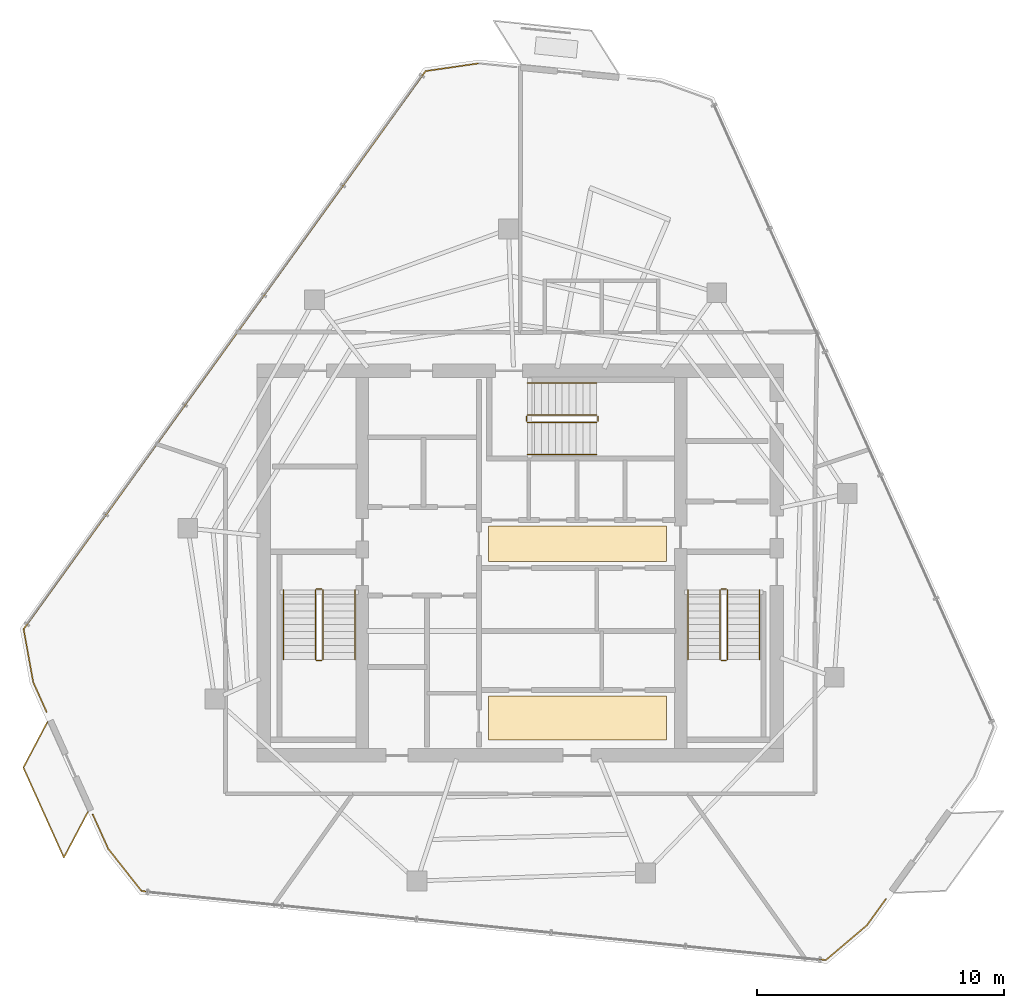
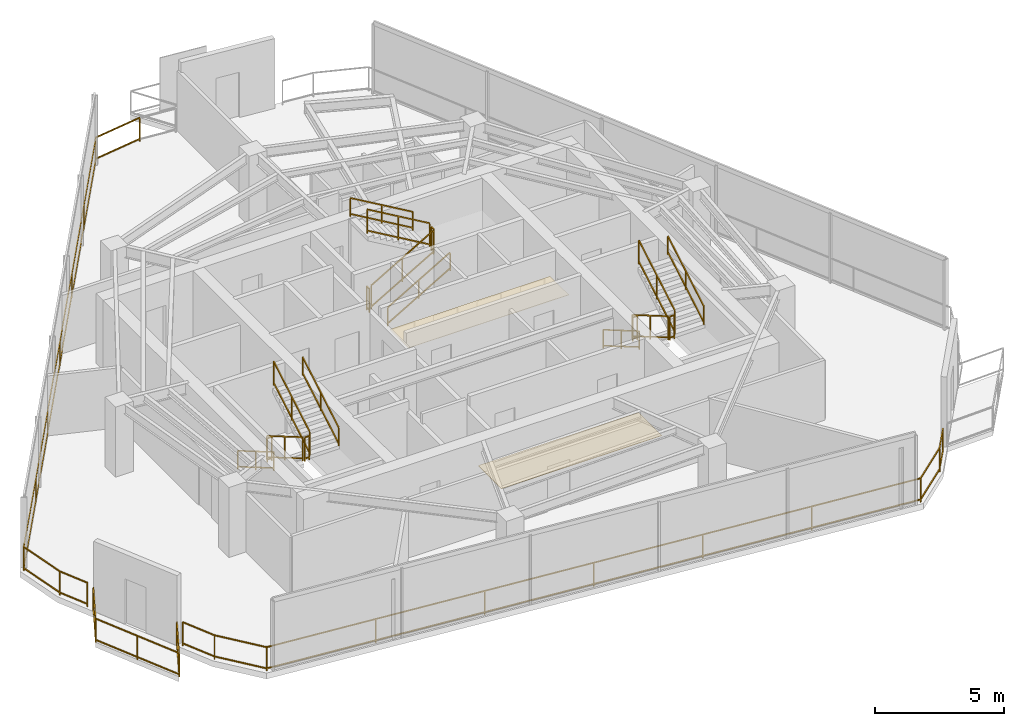
# One storey, part 17 of 18: 21 railings, 2 coverings.
"""IFC4 building model written with IfcOpenShell, lengths in metres."""

from ifc_helpers import new_model, si_unit, direction, frame, origin, origin_2d, place, context, subcontext, project, spatial, rectangle, extrude, material, layer, layer_set, type_object, element, save


model = new_model("IFC4")

# Units and contexts
model_context = context("Model", 3, precision=1e-05, world=origin(), true_north=direction((0.0, 1.0)))
body_context = subcontext(model_context, "Body", "Model", "MODEL_VIEW")
ifc_project = project(units=[si_unit("LENGTHUNIT", "METRE"), si_unit("AREAUNIT", "SQUARE_METRE"), si_unit("VOLUMEUNIT", "CUBIC_METRE"), si_unit("PLANEANGLEUNIT", "RADIAN"), si_unit("MASSUNIT", "GRAM", prefix="KILO")], contexts=[model_context])

# Site, building, storey
site_placement = place(None, origin())
site = spatial("IfcSite", under=ifc_project, at=site_placement, CompositionType="ELEMENT")
building_placement = place(site_placement, origin())
building = spatial("IfcBuilding", under=site, at=building_placement, Name="Qarnah Convention Tower", CompositionType="ELEMENT")
storey_placement = place(building_placement, frame((0.0, 0.0, 271.5)))
storey = spatial("IfcBuildingStorey", under=building, at=storey_placement, Name="L73", CompositionType="ELEMENT", Elevation=271.5)

# Coverings
ifc_material_1 = material(Name="Mineral fibre acoustic ceiling")
ifc_layer_1 = layer(ifc_material_1, 0.02001953125)
ifc_layer_set_1 = layer_set([ifc_layer_1], Name="Mineral fibre acoustic ceiling")
covering_type_1 = type_object("IfcCoveringType", Name="COV-CEIL-20", PredefinedType="CEILING", material=ifc_layer_set_1)
covering_1_placement = place(storey_placement, frame((39.52001953125, 27.179931640625, 2.2900390625), z_axis=(0.0, 0.0, 1.0), x_axis=(1.0, 0.0, 0.0)))
element("IfcCovering", 1, at=covering_1_placement, inside=storey, type_object=covering_type_1, Name="L73 lift lobby acoustic ceiling", PredefinedType="CEILING", context=body_context, shape_type="SweptSolid", body=[
    extrude(rectangle(XDim=7.199951171875, YDim=1.449951171875, at=origin_2d()), origin(), (0.0, 0.0, 1.0), 0.02001953125),
])
ifc_material_2 = material(Name="Porcelain stone floor tile", Category="masonry")
ifc_layer_2 = layer(ifc_material_2, 0.02001953125)
ifc_layer_set_2 = layer_set([ifc_layer_2], Name="Porcelain stone floor tile")
covering_type_2 = type_object("IfcCoveringType", Name="COV-FLOOR-20", PredefinedType="FLOORING", material=ifc_layer_set_2)
covering_2_placement = place(storey_placement, frame((39.52001953125, 20.1201171875, 0.0), z_axis=(0.0, 0.0, 1.0), x_axis=(1.0, 0.0, 0.0)))
element("IfcCovering", 2, at=covering_2_placement, inside=storey, type_object=covering_type_2, Name="L73 lift lobby porcelain stone flooring", PredefinedType="FLOORING", context=body_context, shape_type="SweptSolid", body=[
    extrude(rectangle(XDim=7.199951171875, YDim=1.800048828125, at=origin_2d()), origin(), (0.0, 0.0, 1.0), 0.02001953125),
])

# Railings
ifc_material_3 = material(Name="Black anodised aluminium", Category="aluminium")
railing_type_1 = type_object("IfcRailingType", Name="RL-EXT-GUARD-1150", PredefinedType="GUARDRAIL", material=ifc_material_3)
railing_1_placement = place(storey_placement, frame((52.02490234375, 12.784912109375, 0.0)))
element("IfcRailing", 3, at=railing_1_placement, inside=storey, type_object=railing_type_1, Name="L73 slab-edge perimeter safety guard 03", PredefinedType="GUARDRAIL", context=body_context, shape_type="SweptSolid", body=[
    extrude(rectangle(XDim=0.048095703125, YDim=0.048095703125, at=origin_2d()), frame((0.0, 0.0, 1.1259765625), z_axis=(-0.584529286127, -0.811372610864, 0.0), x_axis=(0.811372610864, -0.584529286127, 0.0)), (0.0, 0.0, 1.0), 1.3173828125),
    extrude(rectangle(XDim=0.048095703125, YDim=0.048095703125, at=origin_2d()), frame((0.0, 0.0, 0.1201171875), z_axis=(-0.584529286127, -0.811372610864, 0.0), x_axis=(0.811372610864, -0.584529286127, 0.0)), (0.0, 0.0, 1.0), 1.3173828125),
    extrude(rectangle(XDim=0.048095703125, YDim=0.048095703125, at=origin_2d()), frame((-0.77001953125, -1.06884765625, 1.1259765625), z_axis=(-0.763050866279, -0.646338437253, 0.0), x_axis=(0.646338437253, -0.763050866279, 0.0)), (0.0, 0.0, 1.0), 2.181640625),
    extrude(rectangle(XDim=0.048095703125, YDim=0.048095703125, at=origin_2d()), frame((-0.77001953125, -1.06884765625, 0.1201171875), z_axis=(-0.763050866279, -0.646338437253, 0.0), x_axis=(0.646338437253, -0.763050866279, 0.0)), (0.0, 0.0, 1.0), 2.181640625),
    extrude(rectangle(XDim=0.048095703125, YDim=0.048095703125, at=origin_2d()), frame((-2.434814453125, -2.47900390625, 1.1259765625), z_axis=(-0.994949605145, 0.100375710315, 0.0), x_axis=(-0.100375710315, -0.994949605145, 0.0)), (0.0, 0.0, 1.0), 27.885986328125),
    extrude(rectangle(XDim=0.048095703125, YDim=0.048095703125, at=origin_2d()), frame((-2.434814453125, -2.47900390625, 0.1201171875), z_axis=(-0.994949605145, 0.100375710315, 0.0), x_axis=(-0.100375710315, -0.994949605145, 0.0)), (0.0, 0.0, 1.0), 27.885986328125),
    extrude(rectangle(XDim=0.048095703125, YDim=0.048095703125, at=origin_2d()), frame((-30.179931640625, 0.320068359375, 1.1259765625), z_axis=(-0.618903619406, 0.785466937488, 0.0), x_axis=(-0.785466937488, -0.618903619406, 0.0)), (0.0, 0.0, 1.0), 2.18115234375),
    extrude(rectangle(XDim=0.048095703125, YDim=0.048095703125, at=origin_2d()), frame((-30.179931640625, 0.320068359375, 0.1201171875), z_axis=(-0.618903619406, 0.785466937488, 0.0), x_axis=(-0.785466937488, -0.618903619406, 0.0)), (0.0, 0.0, 1.0), 2.18115234375),
    extrude(rectangle(XDim=0.048095703125, YDim=0.048095703125, at=origin_2d()), frame((-31.52978515625, 2.033203125, 1.1259765625), z_axis=(-0.41088917155, 0.911685301353, 0.0), x_axis=(-0.911685301353, -0.41088917155, 0.0)), (0.0, 0.0, 1.0), 1.52880859375),
    extrude(rectangle(XDim=0.048095703125, YDim=0.048095703125, at=origin_2d()), frame((-31.52978515625, 2.033203125, 0.1201171875), z_axis=(-0.41088917155, 0.911685301353, 0.0), x_axis=(-0.911685301353, -0.41088917155, 0.0)), (0.0, 0.0, 1.0), 1.52880859375),
    extrude(rectangle(XDim=0.0419921875, YDim=0.0419921875, at=origin_2d()), origin(), (0.0, 0.0, 1.0), 1.101806640625),
    extrude(rectangle(XDim=0.0419921875, YDim=0.0419921875, at=origin_2d()), frame((-0.77001953125, -1.06884765625, 0.0)), (0.0, 0.0, 1.0), 1.101806640625),
    extrude(rectangle(XDim=0.0419921875, YDim=0.0419921875, at=origin_2d()), frame((-2.434814453125, -2.47900390625, 0.0)), (0.0, 0.0, 1.0), 1.101806640625),
    extrude(rectangle(XDim=0.0419921875, YDim=0.0419921875, at=origin_2d()), frame((-7.05908203125, -2.012451171875, 0.0)), (0.0, 0.0, 1.0), 1.101806640625),
    extrude(rectangle(XDim=0.0419921875, YDim=0.0419921875, at=origin_2d()), frame((-11.68310546875, -1.5458984375, 0.0)), (0.0, 0.0, 1.0), 1.101806640625),
    extrude(rectangle(XDim=0.0419921875, YDim=0.0419921875, at=origin_2d()), frame((-16.307373046875, -1.07958984375, 0.0)), (0.0, 0.0, 1.0), 1.101806640625),
    extrude(rectangle(XDim=0.0419921875, YDim=0.0419921875, at=origin_2d()), frame((-20.931640625, -0.613037109375, 0.0)), (0.0, 0.0, 1.0), 1.101806640625),
    extrude(rectangle(XDim=0.0419921875, YDim=0.0419921875, at=origin_2d()), frame((-25.5556640625, -0.146484375, 0.0)), (0.0, 0.0, 1.0), 1.101806640625),
    extrude(rectangle(XDim=0.0419921875, YDim=0.0419921875, at=origin_2d()), frame((-30.179931640625, 0.320068359375, 0.0)), (0.0, 0.0, 1.0), 1.101806640625),
    extrude(rectangle(XDim=0.0419921875, YDim=0.0419921875, at=origin_2d()), frame((-31.52978515625, 2.033203125, 0.0)), (0.0, 0.0, 1.0), 1.101806640625),
    extrude(rectangle(XDim=0.0419921875, YDim=0.0419921875, at=origin_2d()), frame((-32.157958984375, 3.427001953125, 0.0)), (0.0, 0.0, 1.0), 1.101806640625),
])
railing_2_placement = place(storey_placement, frame((17.99609375, 20.367919921875, 0.0)))
element("IfcRailing", 4, at=railing_2_placement, inside=storey, type_object=railing_type_1, Name="L73 slab-edge perimeter safety guard 04", PredefinedType="GUARDRAIL", context=body_context, shape_type="SweptSolid", body=[
    extrude(rectangle(XDim=0.048095703125, YDim=0.048095703125, at=origin_2d()), frame((0.0, 0.0, 1.1259765625), z_axis=(-0.41039547901, 0.911907643793, 0.0), x_axis=(-0.911907643793, -0.41039547901, 0.0)), (0.0, 0.0, 1.0), 1.318359375),
    extrude(rectangle(XDim=0.048095703125, YDim=0.048095703125, at=origin_2d()), frame((0.0, 0.0, 0.1201171875), z_axis=(-0.41039547901, 0.911907643793, 0.0), x_axis=(-0.911907643793, -0.41039547901, 0.0)), (0.0, 0.0, 1.0), 1.318359375),
    extrude(rectangle(XDim=0.048095703125, YDim=0.048095703125, at=origin_2d()), frame((-0.541015625, 1.2021484375, 1.1259765625), z_axis=(-0.177998730377, 0.984030716992, 0.0), x_axis=(-0.984030716992, -0.177998730377, 0.0)), (0.0, 0.0, 1.0), 2.180908203125),
    extrude(rectangle(XDim=0.048095703125, YDim=0.048095703125, at=origin_2d()), frame((-0.541015625, 1.2021484375, 0.1201171875), z_axis=(-0.177998730377, 0.984030716992, 0.0), x_axis=(-0.984030716992, -0.177998730377, 0.0)), (0.0, 0.0, 1.0), 2.180908203125),
    extrude(rectangle(XDim=0.048095703125, YDim=0.048095703125, at=origin_2d()), frame((-0.92919921875, 3.34814453125, 1.1259765625), z_axis=(0.5844064296, 0.81146110507, 0.0), x_axis=(-0.81146110507, 0.5844064296, 0.0)), (0.0, 0.0, 1.0), 27.88671875),
    extrude(rectangle(XDim=0.048095703125, YDim=0.048095703125, at=origin_2d()), frame((-0.92919921875, 3.34814453125, 0.1201171875), z_axis=(0.5844064296, 0.81146110507, 0.0), x_axis=(-0.81146110507, 0.5844064296, 0.0)), (0.0, 0.0, 1.0), 27.88671875),
    extrude(rectangle(XDim=0.048095703125, YDim=0.048095703125, at=origin_2d()), frame((15.367919921875, 25.97705078125, 1.1259765625), z_axis=(0.989654151616, 0.14347355223, 0.0), x_axis=(-0.14347355223, 0.989654151616, 0.0)), (0.0, 0.0, 1.0), 2.181396484375),
    extrude(rectangle(XDim=0.048095703125, YDim=0.048095703125, at=origin_2d()), frame((15.367919921875, 25.97705078125, 0.1201171875), z_axis=(0.989654151616, 0.14347355223, 0.0), x_axis=(-0.14347355223, 0.989654151616, 0.0)), (0.0, 0.0, 1.0), 2.181396484375),
    extrude(rectangle(XDim=0.0419921875, YDim=0.0419921875, at=origin_2d()), origin(), (0.0, 0.0, 1.0), 1.101806640625),
    extrude(rectangle(XDim=0.0419921875, YDim=0.0419921875, at=origin_2d()), frame((-0.541015625, 1.2021484375, 0.0)), (0.0, 0.0, 1.0), 1.101806640625),
    extrude(rectangle(XDim=0.0419921875, YDim=0.0419921875, at=origin_2d()), frame((-0.92919921875, 3.34814453125, 0.0)), (0.0, 0.0, 1.0), 1.101806640625),
    extrude(rectangle(XDim=0.0419921875, YDim=0.0419921875, at=origin_2d()), frame((1.787109375, 7.11962890625, 0.0)), (0.0, 0.0, 1.0), 1.101806640625),
    extrude(rectangle(XDim=0.0419921875, YDim=0.0419921875, at=origin_2d()), frame((4.503173828125, 10.89111328125, 0.0)), (0.0, 0.0, 1.0), 1.101806640625),
    extrude(rectangle(XDim=0.0419921875, YDim=0.0419921875, at=origin_2d()), frame((7.21923828125, 14.66259765625, 0.0)), (0.0, 0.0, 1.0), 1.101806640625),
    extrude(rectangle(XDim=0.0419921875, YDim=0.0419921875, at=origin_2d()), frame((9.935546875, 18.43408203125, 0.0)), (0.0, 0.0, 1.0), 1.101806640625),
    extrude(rectangle(XDim=0.0419921875, YDim=0.0419921875, at=origin_2d()), frame((12.65185546875, 22.20556640625, 0.0)), (0.0, 0.0, 1.0), 1.101806640625),
    extrude(rectangle(XDim=0.0419921875, YDim=0.0419921875, at=origin_2d()), frame((15.367919921875, 25.97705078125, 0.0)), (0.0, 0.0, 1.0), 1.101806640625),
    extrude(rectangle(XDim=0.0419921875, YDim=0.0419921875, at=origin_2d()), frame((17.52685546875, 26.2900390625, 0.0)), (0.0, 0.0, 1.0), 1.101806640625),
])
railing_3_placement = place(storey_placement, frame((19.673095703125, 16.31494140625, 0.0)))
element("IfcRailing", 5, at=railing_3_placement, inside=storey, type_object=railing_type_1, Name="L73 balcony safety guard BAL-L73-C2", PredefinedType="GUARDRAIL", context=body_context, shape_type="SweptSolid", body=[
    extrude(rectangle(XDim=0.048095703125, YDim=0.048095703125, at=origin_2d()), frame((0.0, 0.0, 1.1259765625), z_axis=(-0.465679155597, -0.884953628188, 0.0), x_axis=(0.884953628188, -0.465679155597, 0.0)), (0.0, 0.0, 1.0), 2.093994140625),
    extrude(rectangle(XDim=0.048095703125, YDim=0.048095703125, at=origin_2d()), frame((0.0, 0.0, 0.1201171875), z_axis=(-0.465679155597, -0.884953628188, 0.0), x_axis=(0.884953628188, -0.465679155597, 0.0)), (0.0, 0.0, 1.0), 2.093994140625),
    extrude(rectangle(XDim=0.048095703125, YDim=0.048095703125, at=origin_2d()), frame((-0.97509765625, -1.85302734375, 1.1259765625), z_axis=(-0.41056263889, 0.911832396632, 0.0), x_axis=(-0.911832396632, -0.41056263889, 0.0)), (0.0, 0.0, 1.0), 3.99951171875),
    extrude(rectangle(XDim=0.048095703125, YDim=0.048095703125, at=origin_2d()), frame((-0.97509765625, -1.85302734375, 0.1201171875), z_axis=(-0.41056263889, 0.911832396632, 0.0), x_axis=(-0.911832396632, -0.41056263889, 0.0)), (0.0, 0.0, 1.0), 3.99951171875),
    extrude(rectangle(XDim=0.048095703125, YDim=0.048095703125, at=origin_2d()), frame((-2.6171875, 1.7939453125, 1.1259765625), z_axis=(0.465679155597, 0.884953628188, 0.0), x_axis=(-0.884953628188, 0.465679155597, 0.0)), (0.0, 0.0, 1.0), 2.093994140625),
    extrude(rectangle(XDim=0.048095703125, YDim=0.048095703125, at=origin_2d()), frame((-2.6171875, 1.7939453125, 0.1201171875), z_axis=(0.465679155597, 0.884953628188, 0.0), x_axis=(-0.884953628188, 0.465679155597, 0.0)), (0.0, 0.0, 1.0), 2.093994140625),
    extrude(rectangle(XDim=0.0419921875, YDim=0.0419921875, at=origin_2d()), origin(), (0.0, 0.0, 1.0), 1.101806640625),
    extrude(rectangle(XDim=0.0419921875, YDim=0.0419921875, at=origin_2d()), frame((-0.97509765625, -1.85302734375, 0.0)), (0.0, 0.0, 1.0), 1.101806640625),
    extrude(rectangle(XDim=0.0419921875, YDim=0.0419921875, at=origin_2d()), frame((-1.796142578125, -0.029541015625, 0.0)), (0.0, 0.0, 1.0), 1.101806640625),
    extrude(rectangle(XDim=0.0419921875, YDim=0.0419921875, at=origin_2d()), frame((-2.6171875, 1.7939453125, 0.0)), (0.0, 0.0, 1.0), 1.101806640625),
    extrude(rectangle(XDim=0.0419921875, YDim=0.0419921875, at=origin_2d()), frame((-1.64208984375, 3.64697265625, 0.0)), (0.0, 0.0, 1.0), 1.101806640625),
])
ifc_material_4 = material(Name="Structural steel S355JR", Category="steel")
railing_type_2 = type_object("IfcRailingType", Name="RL-STAIR-GUARD-1150", PredefinedType="GUARDRAIL", material=ifc_material_4)
railing_4_placement = place(storey_placement, frame((28.89990234375, 25.300048828125, 0.16357421875)))
element("IfcRailing", 6, at=railing_4_placement, inside=storey, type_object=railing_type_2, Name="L73 ST-1 stair guard 1", PredefinedType="GUARDRAIL", context=body_context, shape_type="SweptSolid", body=[
    extrude(rectangle(XDim=0.048095703125, YDim=0.048095703125, at=origin_2d()), frame((0.0, 0.0, 1.1259765625), z_axis=(0.0, -0.863360870873, 0.504586966384), x_axis=(1.0, 0.0, 0.0)), (0.0, 0.0, 1.0), 3.2431640625),
    extrude(rectangle(XDim=0.048095703125, YDim=0.048095703125, at=origin_2d()), frame((0.0, 0.0, 0.1201171875), z_axis=(0.0, -0.863360870873, 0.504586966384), x_axis=(1.0, 0.0, 0.0)), (0.0, 0.0, 1.0), 3.2431640625),
    extrude(rectangle(XDim=0.0419921875, YDim=0.0419921875, at=origin_2d()), origin(), (0.0, 0.0, 1.0), 1.101806640625),
    extrude(rectangle(XDim=0.0419921875, YDim=0.0419921875, at=origin_2d()), frame((0.0, -1.39990234375, 0.818359375)), (0.0, 0.0, 1.0), 1.101806640625),
    extrude(rectangle(XDim=0.0419921875, YDim=0.0419921875, at=origin_2d()), frame((0.0, -2.800048828125, 1.636474609375)), (0.0, 0.0, 1.0), 1.101806640625),
])
railing_5_placement = place(storey_placement, frame((28.949951171875, 22.449951171875, 1.800048828125)))
element("IfcRailing", 7, at=railing_5_placement, inside=storey, type_object=railing_type_2, Name="L73 ST-1 stair guard 2", PredefinedType="GUARDRAIL", context=body_context, shape_type="SweptSolid", body=[
    extrude(rectangle(XDim=0.048095703125, YDim=0.048095703125, at=origin_2d()), frame((0.0, 0.0, 1.1259765625), z_axis=(1.0, 0.0, 0.0), x_axis=(0.0, 1.0, 0.0)), (0.0, 0.0, 1.0), 0.199951171875),
    extrude(rectangle(XDim=0.048095703125, YDim=0.048095703125, at=origin_2d()), frame((0.0, 0.0, 0.1201171875), z_axis=(1.0, 0.0, 0.0), x_axis=(0.0, 1.0, 0.0)), (0.0, 0.0, 1.0), 0.199951171875),
    extrude(rectangle(XDim=0.0419921875, YDim=0.0419921875, at=origin_2d()), origin(), (0.0, 0.0, 1.0), 1.101806640625),
    extrude(rectangle(XDim=0.0419921875, YDim=0.0419921875, at=origin_2d()), frame((0.199951171875, 0.0, 0.0)), (0.0, 0.0, 1.0), 1.101806640625),
])
railing_6_placement = place(storey_placement, frame((29.199951171875, 22.5, 1.963623046875)))
element("IfcRailing", 8, at=railing_6_placement, inside=storey, type_object=railing_type_2, Name="L73 ST-1 stair guard 3", PredefinedType="GUARDRAIL", context=body_context, shape_type="SweptSolid", body=[
    extrude(rectangle(XDim=0.048095703125, YDim=0.048095703125, at=origin_2d()), frame((0.0, 0.0, 1.1259765625), z_axis=(0.0, 0.863360870873, 0.504586966384), x_axis=(-1.0, 0.0, 0.0)), (0.0, 0.0, 1.0), 3.2431640625),
    extrude(rectangle(XDim=0.048095703125, YDim=0.048095703125, at=origin_2d()), frame((0.0, 0.0, 0.1201171875), z_axis=(0.0, 0.863360870873, 0.504586966384), x_axis=(-1.0, 0.0, 0.0)), (0.0, 0.0, 1.0), 3.2431640625),
    extrude(rectangle(XDim=0.0419921875, YDim=0.0419921875, at=origin_2d()), origin(), (0.0, 0.0, 1.0), 1.101806640625),
    extrude(rectangle(XDim=0.0419921875, YDim=0.0419921875, at=origin_2d()), frame((0.0, 1.39990234375, 0.818359375)), (0.0, 0.0, 1.0), 1.101806640625),
    extrude(rectangle(XDim=0.0419921875, YDim=0.0419921875, at=origin_2d()), frame((0.0, 2.800048828125, 1.636474609375)), (0.0, 0.0, 1.0), 1.101806640625),
])
railing_7_placement = place(storey_placement, frame((28.949951171875, 25.35009765625, 0.0)))
element("IfcRailing", 9, at=railing_7_placement, inside=storey, type_object=railing_type_2, Name="L73 ST-1 stair guard 4", PredefinedType="GUARDRAIL", context=body_context, shape_type="SweptSolid", body=[
    extrude(rectangle(XDim=0.048095703125, YDim=0.048095703125, at=origin_2d()), frame((0.0, 0.0, 1.1259765625), z_axis=(1.0, 0.0, 0.0), x_axis=(0.0, 1.0, 0.0)), (0.0, 0.0, 1.0), 0.199951171875),
    extrude(rectangle(XDim=0.048095703125, YDim=0.048095703125, at=origin_2d()), frame((0.0, 0.0, 0.1201171875), z_axis=(1.0, 0.0, 0.0), x_axis=(0.0, 1.0, 0.0)), (0.0, 0.0, 1.0), 0.199951171875),
    extrude(rectangle(XDim=0.0419921875, YDim=0.0419921875, at=origin_2d()), origin(), (0.0, 0.0, 1.0), 1.101806640625),
    extrude(rectangle(XDim=0.0419921875, YDim=0.0419921875, at=origin_2d()), frame((0.199951171875, 0.0, 0.0)), (0.0, 0.0, 1.0), 1.101806640625),
])
railing_8_placement = place(storey_placement, frame((45.300048828125, 25.300048828125, 0.16357421875)))
element("IfcRailing", 10, at=railing_8_placement, inside=storey, type_object=railing_type_2, Name="L73 ST-2 stair guard 1", PredefinedType="GUARDRAIL", context=body_context, shape_type="SweptSolid", body=[
    extrude(rectangle(XDim=0.048095703125, YDim=0.048095703125, at=origin_2d()), frame((0.0, 0.0, 1.1259765625), z_axis=(0.0, -0.863360870873, 0.504586966384), x_axis=(1.0, 0.0, 0.0)), (0.0, 0.0, 1.0), 3.2431640625),
    extrude(rectangle(XDim=0.048095703125, YDim=0.048095703125, at=origin_2d()), frame((0.0, 0.0, 0.1201171875), z_axis=(0.0, -0.863360870873, 0.504586966384), x_axis=(1.0, 0.0, 0.0)), (0.0, 0.0, 1.0), 3.2431640625),
    extrude(rectangle(XDim=0.0419921875, YDim=0.0419921875, at=origin_2d()), origin(), (0.0, 0.0, 1.0), 1.101806640625),
    extrude(rectangle(XDim=0.0419921875, YDim=0.0419921875, at=origin_2d()), frame((0.0, -1.39990234375, 0.818359375)), (0.0, 0.0, 1.0), 1.101806640625),
    extrude(rectangle(XDim=0.0419921875, YDim=0.0419921875, at=origin_2d()), frame((0.0, -2.800048828125, 1.636474609375)), (0.0, 0.0, 1.0), 1.101806640625),
])
railing_9_placement = place(storey_placement, frame((45.35009765625, 22.449951171875, 1.800048828125)))
element("IfcRailing", 11, at=railing_9_placement, inside=storey, type_object=railing_type_2, Name="L73 ST-2 stair guard 2", PredefinedType="GUARDRAIL", context=body_context, shape_type="SweptSolid", body=[
    extrude(rectangle(XDim=0.048095703125, YDim=0.048095703125, at=origin_2d()), frame((0.0, 0.0, 1.1259765625), z_axis=(1.0, 0.0, 0.0), x_axis=(0.0, 1.0, 0.0)), (0.0, 0.0, 1.0), 0.199951171875),
    extrude(rectangle(XDim=0.048095703125, YDim=0.048095703125, at=origin_2d()), frame((0.0, 0.0, 0.1201171875), z_axis=(1.0, 0.0, 0.0), x_axis=(0.0, 1.0, 0.0)), (0.0, 0.0, 1.0), 0.199951171875),
    extrude(rectangle(XDim=0.0419921875, YDim=0.0419921875, at=origin_2d()), origin(), (0.0, 0.0, 1.0), 1.101806640625),
    extrude(rectangle(XDim=0.0419921875, YDim=0.0419921875, at=origin_2d()), frame((0.199951171875, 0.0, 0.0)), (0.0, 0.0, 1.0), 1.101806640625),
])
railing_10_placement = place(storey_placement, frame((45.60009765625, 22.5, 1.963623046875)))
element("IfcRailing", 12, at=railing_10_placement, inside=storey, type_object=railing_type_2, Name="L73 ST-2 stair guard 3", PredefinedType="GUARDRAIL", context=body_context, shape_type="SweptSolid", body=[
    extrude(rectangle(XDim=0.048095703125, YDim=0.048095703125, at=origin_2d()), frame((0.0, 0.0, 1.1259765625), z_axis=(0.0, 0.863360870873, 0.504586966384), x_axis=(-1.0, 0.0, 0.0)), (0.0, 0.0, 1.0), 3.2431640625),
    extrude(rectangle(XDim=0.048095703125, YDim=0.048095703125, at=origin_2d()), frame((0.0, 0.0, 0.1201171875), z_axis=(0.0, 0.863360870873, 0.504586966384), x_axis=(-1.0, 0.0, 0.0)), (0.0, 0.0, 1.0), 3.2431640625),
    extrude(rectangle(XDim=0.0419921875, YDim=0.0419921875, at=origin_2d()), origin(), (0.0, 0.0, 1.0), 1.101806640625),
    extrude(rectangle(XDim=0.0419921875, YDim=0.0419921875, at=origin_2d()), frame((0.0, 1.39990234375, 0.818359375)), (0.0, 0.0, 1.0), 1.101806640625),
    extrude(rectangle(XDim=0.0419921875, YDim=0.0419921875, at=origin_2d()), frame((0.0, 2.800048828125, 1.636474609375)), (0.0, 0.0, 1.0), 1.101806640625),
])
railing_11_placement = place(storey_placement, frame((45.35009765625, 25.35009765625, 0.0)))
element("IfcRailing", 13, at=railing_11_placement, inside=storey, type_object=railing_type_2, Name="L73 ST-2 stair guard 4", PredefinedType="GUARDRAIL", context=body_context, shape_type="SweptSolid", body=[
    extrude(rectangle(XDim=0.048095703125, YDim=0.048095703125, at=origin_2d()), frame((0.0, 0.0, 1.1259765625), z_axis=(1.0, 0.0, 0.0), x_axis=(0.0, 1.0, 0.0)), (0.0, 0.0, 1.0), 0.199951171875),
    extrude(rectangle(XDim=0.048095703125, YDim=0.048095703125, at=origin_2d()), frame((0.0, 0.0, 0.1201171875), z_axis=(1.0, 0.0, 0.0), x_axis=(0.0, 1.0, 0.0)), (0.0, 0.0, 1.0), 0.199951171875),
    extrude(rectangle(XDim=0.0419921875, YDim=0.0419921875, at=origin_2d()), origin(), (0.0, 0.0, 1.0), 1.101806640625),
    extrude(rectangle(XDim=0.0419921875, YDim=0.0419921875, at=origin_2d()), frame((0.199951171875, 0.0, 0.0)), (0.0, 0.0, 1.0), 1.101806640625),
])
railing_12_placement = place(storey_placement, frame((37.5, 32.10009765625, 0.16357421875)))
element("IfcRailing", 14, at=railing_12_placement, inside=storey, type_object=railing_type_2, Name="L73 ST-3 stair guard 1", PredefinedType="GUARDRAIL", context=body_context, shape_type="SweptSolid", body=[
    extrude(rectangle(XDim=0.048095703125, YDim=0.048095703125, at=origin_2d()), frame((0.0, 0.0, 1.1259765625), z_axis=(0.863360870873, 0.0, 0.504586966384), x_axis=(0.0, 1.0, 0.0)), (0.0, 0.0, 1.0), 3.2431640625),
    extrude(rectangle(XDim=0.048095703125, YDim=0.048095703125, at=origin_2d()), frame((0.0, 0.0, 0.1201171875), z_axis=(0.863360870873, 0.0, 0.504586966384), x_axis=(0.0, 1.0, 0.0)), (0.0, 0.0, 1.0), 3.2431640625),
    extrude(rectangle(XDim=0.0419921875, YDim=0.0419921875, at=origin_2d()), origin(), (0.0, 0.0, 1.0), 1.101806640625),
    extrude(rectangle(XDim=0.0419921875, YDim=0.0419921875, at=origin_2d()), frame((1.39990234375, 0.0, 0.818359375)), (0.0, 0.0, 1.0), 1.101806640625),
    extrude(rectangle(XDim=0.0419921875, YDim=0.0419921875, at=origin_2d()), frame((2.800048828125, 0.0, 1.636474609375)), (0.0, 0.0, 1.0), 1.101806640625),
])
railing_13_placement = place(storey_placement, frame((40.35009765625, 32.14990234375, 1.800048828125)))
element("IfcRailing", 15, at=railing_13_placement, inside=storey, type_object=railing_type_2, Name="L73 ST-3 stair guard 2", PredefinedType="GUARDRAIL", context=body_context, shape_type="SweptSolid", body=[
    extrude(rectangle(XDim=0.048095703125, YDim=0.048095703125, at=origin_2d()), frame((0.0, 0.0, 1.1259765625), z_axis=(0.0, 1.0, 0.0), x_axis=(-1.0, 0.0, 0.0)), (0.0, 0.0, 1.0), 0.2001953125),
    extrude(rectangle(XDim=0.048095703125, YDim=0.048095703125, at=origin_2d()), frame((0.0, 0.0, 0.1201171875), z_axis=(0.0, 1.0, 0.0), x_axis=(-1.0, 0.0, 0.0)), (0.0, 0.0, 1.0), 0.2001953125),
    extrude(rectangle(XDim=0.0419921875, YDim=0.0419921875, at=origin_2d()), origin(), (0.0, 0.0, 1.0), 1.101806640625),
    extrude(rectangle(XDim=0.0419921875, YDim=0.0419921875, at=origin_2d()), frame((0.0, 0.2001953125, 0.0)), (0.0, 0.0, 1.0), 1.101806640625),
])
railing_14_placement = place(storey_placement, frame((40.300048828125, 32.39990234375, 1.963623046875)))
element("IfcRailing", 16, at=railing_14_placement, inside=storey, type_object=railing_type_2, Name="L73 ST-3 stair guard 3", PredefinedType="GUARDRAIL", context=body_context, shape_type="SweptSolid", body=[
    extrude(rectangle(XDim=0.048095703125, YDim=0.048095703125, at=origin_2d()), frame((0.0, 0.0, 1.1259765625), z_axis=(-0.863360870873, 0.0, 0.504586966384), x_axis=(0.0, -1.0, 0.0)), (0.0, 0.0, 1.0), 3.2431640625),
    extrude(rectangle(XDim=0.048095703125, YDim=0.048095703125, at=origin_2d()), frame((0.0, 0.0, 0.1201171875), z_axis=(-0.863360870873, 0.0, 0.504586966384), x_axis=(0.0, -1.0, 0.0)), (0.0, 0.0, 1.0), 3.2431640625),
    extrude(rectangle(XDim=0.0419921875, YDim=0.0419921875, at=origin_2d()), origin(), (0.0, 0.0, 1.0), 1.101806640625),
    extrude(rectangle(XDim=0.0419921875, YDim=0.0419921875, at=origin_2d()), frame((-1.39990234375, 0.0, 0.818359375)), (0.0, 0.0, 1.0), 1.101806640625),
    extrude(rectangle(XDim=0.0419921875, YDim=0.0419921875, at=origin_2d()), frame((-2.800048828125, 0.0, 1.636474609375)), (0.0, 0.0, 1.0), 1.101806640625),
])
railing_15_placement = place(storey_placement, frame((37.449951171875, 32.14990234375, 0.0)))
element("IfcRailing", 17, at=railing_15_placement, inside=storey, type_object=railing_type_2, Name="L73 ST-3 stair guard 4", PredefinedType="GUARDRAIL", context=body_context, shape_type="SweptSolid", body=[
    extrude(rectangle(XDim=0.048095703125, YDim=0.048095703125, at=origin_2d()), frame((0.0, 0.0, 1.1259765625), z_axis=(0.0, 1.0, 0.0), x_axis=(-1.0, 0.0, 0.0)), (0.0, 0.0, 1.0), 0.2001953125),
    extrude(rectangle(XDim=0.048095703125, YDim=0.048095703125, at=origin_2d()), frame((0.0, 0.0, 0.1201171875), z_axis=(0.0, 1.0, 0.0), x_axis=(-1.0, 0.0, 0.0)), (0.0, 0.0, 1.0), 0.2001953125),
    extrude(rectangle(XDim=0.0419921875, YDim=0.0419921875, at=origin_2d()), origin(), (0.0, 0.0, 1.0), 1.101806640625),
    extrude(rectangle(XDim=0.0419921875, YDim=0.0419921875, at=origin_2d()), frame((0.0, 0.2001953125, 0.0)), (0.0, 0.0, 1.0), 1.101806640625),
])
railing_type_3 = type_object("IfcRailingType", Name="RL-STAIR-HAND-900", PredefinedType="HANDRAIL", material=ifc_material_4)
railing_16_placement = place(storey_placement, frame((27.60009765625, 25.300048828125, 0.16357421875)))
element("IfcRailing", 18, at=railing_16_placement, inside=storey, type_object=railing_type_3, Name="L73 ST-1 stair handrail 1", PredefinedType="HANDRAIL", context=body_context, shape_type="SweptSolid", body=[
    extrude(rectangle(XDim=0.048095703125, YDim=0.048095703125, at=origin_2d()), frame((0.0, 0.0, 0.8759765625), z_axis=(0.0, -0.863360870873, 0.504586966384), x_axis=(1.0, 0.0, 0.0)), (0.0, 0.0, 1.0), 3.2431640625),
    extrude(rectangle(XDim=0.048095703125, YDim=0.048095703125, at=origin_2d()), frame((0.0, 0.0, 0.1201171875), z_axis=(0.0, -0.863360870873, 0.504586966384), x_axis=(1.0, 0.0, 0.0)), (0.0, 0.0, 1.0), 3.2431640625),
    extrude(rectangle(XDim=0.0419921875, YDim=0.0419921875, at=origin_2d()), origin(), (0.0, 0.0, 1.0), 0.851806640625),
    extrude(rectangle(XDim=0.0419921875, YDim=0.0419921875, at=origin_2d()), frame((0.0, -1.39990234375, 0.818359375)), (0.0, 0.0, 1.0), 0.851806640625),
    extrude(rectangle(XDim=0.0419921875, YDim=0.0419921875, at=origin_2d()), frame((0.0, -2.800048828125, 1.636474609375)), (0.0, 0.0, 1.0), 0.851806640625),
])
railing_17_placement = place(storey_placement, frame((30.5, 22.5, 1.963623046875)))
element("IfcRailing", 19, at=railing_17_placement, inside=storey, type_object=railing_type_3, Name="L73 ST-1 stair handrail 2", PredefinedType="HANDRAIL", context=body_context, shape_type="SweptSolid", body=[
    extrude(rectangle(XDim=0.048095703125, YDim=0.048095703125, at=origin_2d()), frame((0.0, 0.0, 0.8759765625), z_axis=(0.0, 0.863360870873, 0.504586966384), x_axis=(-1.0, 0.0, 0.0)), (0.0, 0.0, 1.0), 3.2431640625),
    extrude(rectangle(XDim=0.048095703125, YDim=0.048095703125, at=origin_2d()), frame((0.0, 0.0, 0.1201171875), z_axis=(0.0, 0.863360870873, 0.504586966384), x_axis=(-1.0, 0.0, 0.0)), (0.0, 0.0, 1.0), 3.2431640625),
    extrude(rectangle(XDim=0.0419921875, YDim=0.0419921875, at=origin_2d()), origin(), (0.0, 0.0, 1.0), 0.851806640625),
    extrude(rectangle(XDim=0.0419921875, YDim=0.0419921875, at=origin_2d()), frame((0.0, 1.39990234375, 0.818359375)), (0.0, 0.0, 1.0), 0.851806640625),
    extrude(rectangle(XDim=0.0419921875, YDim=0.0419921875, at=origin_2d()), frame((0.0, 2.800048828125, 1.636474609375)), (0.0, 0.0, 1.0), 0.851806640625),
])
railing_18_placement = place(storey_placement, frame((44.0, 25.300048828125, 0.16357421875)))
element("IfcRailing", 20, at=railing_18_placement, inside=storey, type_object=railing_type_3, Name="L73 ST-2 stair handrail 1", PredefinedType="HANDRAIL", context=body_context, shape_type="SweptSolid", body=[
    extrude(rectangle(XDim=0.048095703125, YDim=0.048095703125, at=origin_2d()), frame((0.0, 0.0, 0.8759765625), z_axis=(0.0, -0.863360870873, 0.504586966384), x_axis=(1.0, 0.0, 0.0)), (0.0, 0.0, 1.0), 3.2431640625),
    extrude(rectangle(XDim=0.048095703125, YDim=0.048095703125, at=origin_2d()), frame((0.0, 0.0, 0.1201171875), z_axis=(0.0, -0.863360870873, 0.504586966384), x_axis=(1.0, 0.0, 0.0)), (0.0, 0.0, 1.0), 3.2431640625),
    extrude(rectangle(XDim=0.0419921875, YDim=0.0419921875, at=origin_2d()), origin(), (0.0, 0.0, 1.0), 0.851806640625),
    extrude(rectangle(XDim=0.0419921875, YDim=0.0419921875, at=origin_2d()), frame((0.0, -1.39990234375, 0.818359375)), (0.0, 0.0, 1.0), 0.851806640625),
    extrude(rectangle(XDim=0.0419921875, YDim=0.0419921875, at=origin_2d()), frame((0.0, -2.800048828125, 1.636474609375)), (0.0, 0.0, 1.0), 0.851806640625),
])
railing_19_placement = place(storey_placement, frame((46.89990234375, 22.5, 1.963623046875)))
element("IfcRailing", 21, at=railing_19_placement, inside=storey, type_object=railing_type_3, Name="L73 ST-2 stair handrail 2", PredefinedType="HANDRAIL", context=body_context, shape_type="SweptSolid", body=[
    extrude(rectangle(XDim=0.048095703125, YDim=0.048095703125, at=origin_2d()), frame((0.0, 0.0, 0.8759765625), z_axis=(0.0, 0.863360870873, 0.504586966384), x_axis=(-1.0, 0.0, 0.0)), (0.0, 0.0, 1.0), 3.2431640625),
    extrude(rectangle(XDim=0.048095703125, YDim=0.048095703125, at=origin_2d()), frame((0.0, 0.0, 0.1201171875), z_axis=(0.0, 0.863360870873, 0.504586966384), x_axis=(-1.0, 0.0, 0.0)), (0.0, 0.0, 1.0), 3.2431640625),
    extrude(rectangle(XDim=0.0419921875, YDim=0.0419921875, at=origin_2d()), origin(), (0.0, 0.0, 1.0), 0.851806640625),
    extrude(rectangle(XDim=0.0419921875, YDim=0.0419921875, at=origin_2d()), frame((0.0, 1.39990234375, 0.818359375)), (0.0, 0.0, 1.0), 0.851806640625),
    extrude(rectangle(XDim=0.0419921875, YDim=0.0419921875, at=origin_2d()), frame((0.0, 2.800048828125, 1.636474609375)), (0.0, 0.0, 1.0), 0.851806640625),
])
railing_20_placement = place(storey_placement, frame((37.5, 30.800048828125, 0.16357421875)))
element("IfcRailing", 22, at=railing_20_placement, inside=storey, type_object=railing_type_3, Name="L73 ST-3 stair handrail 1", PredefinedType="HANDRAIL", context=body_context, shape_type="SweptSolid", body=[
    extrude(rectangle(XDim=0.048095703125, YDim=0.048095703125, at=origin_2d()), frame((0.0, 0.0, 0.8759765625), z_axis=(0.863360870873, 0.0, 0.504586966384), x_axis=(0.0, 1.0, 0.0)), (0.0, 0.0, 1.0), 3.2431640625),
    extrude(rectangle(XDim=0.048095703125, YDim=0.048095703125, at=origin_2d()), frame((0.0, 0.0, 0.1201171875), z_axis=(0.863360870873, 0.0, 0.504586966384), x_axis=(0.0, 1.0, 0.0)), (0.0, 0.0, 1.0), 3.2431640625),
    extrude(rectangle(XDim=0.0419921875, YDim=0.0419921875, at=origin_2d()), origin(), (0.0, 0.0, 1.0), 0.851806640625),
    extrude(rectangle(XDim=0.0419921875, YDim=0.0419921875, at=origin_2d()), frame((1.39990234375, 0.0, 0.818359375)), (0.0, 0.0, 1.0), 0.851806640625),
    extrude(rectangle(XDim=0.0419921875, YDim=0.0419921875, at=origin_2d()), frame((2.800048828125, 0.0, 1.636474609375)), (0.0, 0.0, 1.0), 0.851806640625),
])
railing_21_placement = place(storey_placement, frame((40.300048828125, 33.699951171875, 1.963623046875)))
element("IfcRailing", 23, at=railing_21_placement, inside=storey, type_object=railing_type_3, Name="L73 ST-3 stair handrail 2", PredefinedType="HANDRAIL", context=body_context, shape_type="SweptSolid", body=[
    extrude(rectangle(XDim=0.048095703125, YDim=0.048095703125, at=origin_2d()), frame((0.0, 0.0, 0.8759765625), z_axis=(-0.863360870873, 0.0, 0.504586966384), x_axis=(0.0, -1.0, 0.0)), (0.0, 0.0, 1.0), 3.2431640625),
    extrude(rectangle(XDim=0.048095703125, YDim=0.048095703125, at=origin_2d()), frame((0.0, 0.0, 0.1201171875), z_axis=(-0.863360870873, 0.0, 0.504586966384), x_axis=(0.0, -1.0, 0.0)), (0.0, 0.0, 1.0), 3.2431640625),
    extrude(rectangle(XDim=0.0419921875, YDim=0.0419921875, at=origin_2d()), origin(), (0.0, 0.0, 1.0), 0.851806640625),
    extrude(rectangle(XDim=0.0419921875, YDim=0.0419921875, at=origin_2d()), frame((-1.39990234375, 0.0, 0.818359375)), (0.0, 0.0, 1.0), 0.851806640625),
    extrude(rectangle(XDim=0.0419921875, YDim=0.0419921875, at=origin_2d()), frame((-2.800048828125, 0.0, 1.636474609375)), (0.0, 0.0, 1.0), 0.851806640625),
])

save(model, "model.ifc")
